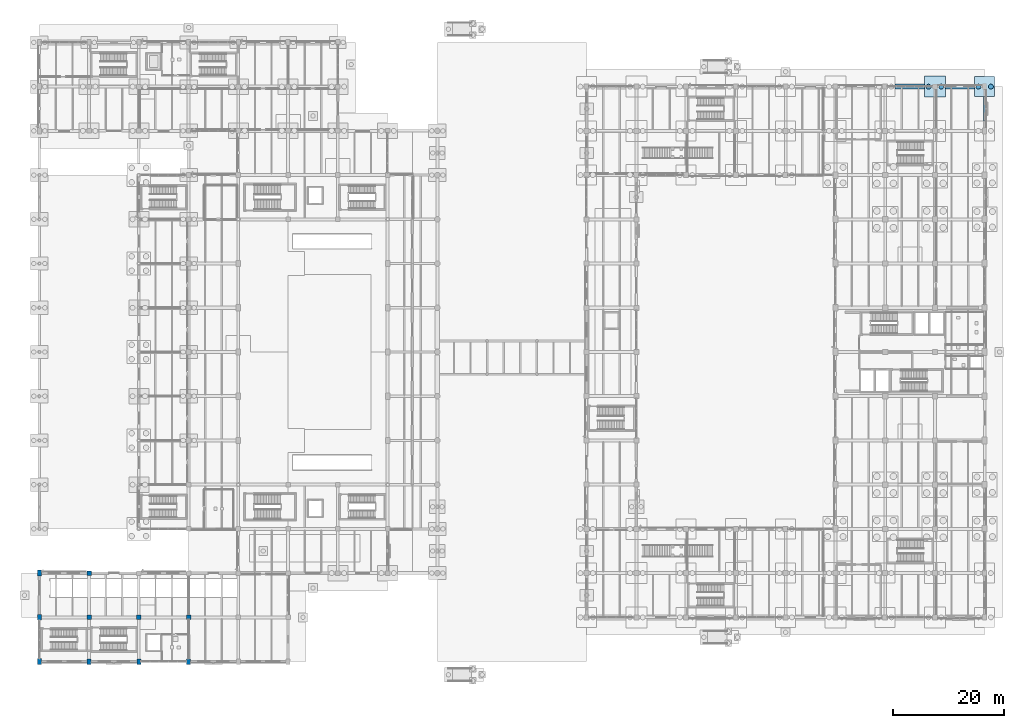
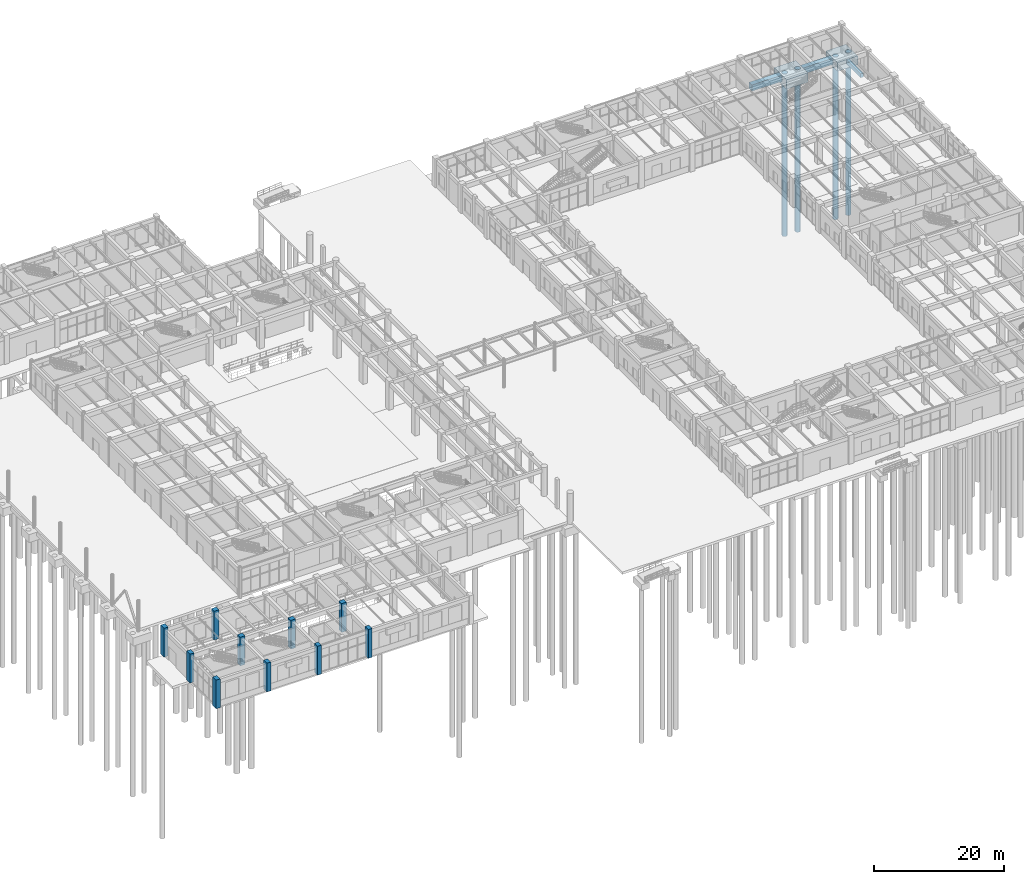
# One storey, part 5 of 121: 10 columns, 5 footings, 4 piles.
"""IFC4 building model written with IfcOpenShell, lengths in metres."""

from ifc_helpers import new_model, si_unit, derived_unit, direction, frame, origin, origin_2d, place, context, subcontext, project, spatial, rectangle, circle, extrude, material, material_profile, profile_set, type_object, element, save


model = new_model("IFC4")

# Units and contexts
model_context = context("Model", 3, precision=1e-05, world=origin(), true_north=direction((0.0, 1.0)))
body_context = subcontext(model_context, "Body", "Model", "MODEL_VIEW")
ifc_project = project(units=[si_unit("LENGTHUNIT", "METRE"), si_unit("AREAUNIT", "SQUARE_METRE"), si_unit("VOLUMEUNIT", "CUBIC_METRE"), si_unit("PLANEANGLEUNIT", "RADIAN"), si_unit("MASSUNIT", "GRAM", prefix="KILO"), derived_unit("THERMALTRANSMITTANCEUNIT", [(si_unit("MASSUNIT", "GRAM", prefix="KILO"), 1), (si_unit("TIMEUNIT", "SECOND"), -3), (si_unit("THERMODYNAMICTEMPERATUREUNIT", "KELVIN"), -1)])], contexts=[model_context])

# Site, building, storey
site_placement = place(None, origin())
site = spatial("IfcSite", under=ifc_project, at=site_placement, CompositionType="ELEMENT")
building_placement = place(site_placement, origin())
building = spatial("IfcBuilding", under=site, at=building_placement, Name="Zhenchuan Archway Interchange", CompositionType="ELEMENT")
storey_placement = place(building_placement, origin())
storey = spatial("IfcBuildingStorey", under=building, at=storey_placement, Name="L00", CompositionType="ELEMENT", Elevation=0.0)

# Footings
ifc_material_1 = material(Name="Concrete C40", Category="concrete")
ifc_material_profile_1 = material_profile(ifc_material_1, rectangle(XDim=0.5, YDim=0.75, at=origin_2d()), Name="RC 500x750")
ifc_profile_set_1 = profile_set([ifc_material_profile_1], Name="Concrete C40")
footing_type_1 = type_object("IfcFootingType", Name="FB_GROUND_4", PredefinedType="FOOTING_BEAM", material=ifc_profile_set_1)
footing_1_placement = place(storey_placement, frame((171.0, 97.800048828125, -0.794921875), z_axis=(0.0, 1.0, 0.0), x_axis=(-1.0, 0.0, 0.0)))
element("IfcFooting", 1, at=footing_1_placement, inside=storey, type_object=footing_type_1, Name="Ground tie beam 20:N-O (L00)", PredefinedType="FOOTING_BEAM", context=body_context, shape_type="SweptSolid", body=[
    extrude(rectangle(XDim=0.5, YDim=0.75, at=origin_2d()), origin(), (0.0, 0.0, 1.0), 4.39990234375),
])
ifc_material_profile_2 = material_profile(ifc_material_1, rectangle(XDim=0.89990234375, YDim=1.159912109375, at=origin_2d()), Name="RC 900x1160")
ifc_profile_set_2 = profile_set([ifc_material_profile_2], Name="Concrete C40")
footing_type_2 = type_object("IfcFootingType", Name="FB_PLINTH_CURB", PredefinedType="STRIP_FOOTING", material=ifc_profile_set_2)
for number, where, z_axis, x_axis, name in (
    (2, (154.800048828125, 104.0, -1.0), (1.0, 0.0, 0.0), (0.0, 1.0, 0.0), "Perimeter strip footing O:18-19 (L00)"),
    (3, (163.89990234375, 104.0, -1.0), (1.0, 0.0, 0.0), (0.0, 1.0, 0.0), "Perimeter strip footing O:19-20 (L00)"),
):
    element("IfcFooting", number, at=place(storey_placement, frame(where, z_axis=z_axis, x_axis=x_axis)), inside=storey, type_object=footing_type_2, Name=name, PredefinedType="STRIP_FOOTING", context=body_context, shape_type="SweptSolid", body=[
        extrude(rectangle(XDim=0.89990234375, YDim=1.159912109375, at=origin_2d()), origin(), (0.0, 0.0, 1.0), 5.300048828125),
    ])
footing_type_3 = type_object("IfcFootingType", Name="PC_B_38x38", PredefinedType="PILE_CAP", material=ifc_material_1)
footing_2_placement = place(storey_placement, frame((162.0, 104.0, -2.169921875), z_axis=(0.0, 0.0, 1.0), x_axis=(1.0, 0.0, 0.0)))
element("IfcFooting", 4, at=footing_2_placement, inside=storey, type_object=footing_type_3, Name="Pile cap PC-07 at 19/O (L00)", PredefinedType="PILE_CAP", context=body_context, shape_type="SweptSolid", body=[
    extrude(rectangle(XDim=3.800048828125, YDim=3.800048828125, at=origin_2d()), origin(), (0.0, 0.0, 1.0), 1.75),
])
footing_type_4 = type_object("IfcFootingType", Name="PC_M_36x36", PredefinedType="PILE_CAP", material=ifc_material_1)
footing_3_placement = place(storey_placement, frame((171.0, 104.0, -2.070068359375), z_axis=(0.0, 0.0, 1.0), x_axis=(1.0, 0.0, 0.0)))
element("IfcFooting", 5, at=footing_3_placement, inside=storey, type_object=footing_type_4, Name="Pile cap PC-09 at 20/O (L00)", PredefinedType="PILE_CAP", context=body_context, shape_type="SweptSolid", body=[
    extrude(rectangle(XDim=3.60009765625, YDim=3.60009765625, at=origin_2d()), origin(), (0.0, 0.0, 1.0), 1.64990234375),
])

# Piles
ifc_material_2 = material(Name="Concrete C35", Category="concrete")
ifc_material_profile_3 = material_profile(ifc_material_2, circle(Radius=0.449951171875, at=origin_2d()), Name="BORED PILE 900")
ifc_profile_set_3 = profile_set([ifc_material_profile_3], Name="Concrete C35")
pile_type = type_object("IfcPileType", Name="PILE_D900", PredefinedType="BORED", material=ifc_profile_set_3)
for number, where, z_axis, x_axis, name in (
    (6, (160.85009765625, 104.0, -0.419921875), (0.0, 0.0, -1.0), (1.0, 0.0, 0.0), "Bored pile at 19/O #1 (L00)"),
    (7, (163.14990234375, 104.0, -0.419921875), (0.0, 0.0, -1.0), (1.0, 0.0, 0.0), "Bored pile at 19/O #2 (L00)"),
    (8, (169.875, 104.0, -0.419921875), (0.0, 0.0, -1.0), (1.0, 0.0, 0.0), "Bored pile at 20/O #1 (L00)"),
    (9, (172.125, 104.0, -0.419921875), (0.0, 0.0, -1.0), (1.0, 0.0, 0.0), "Bored pile at 20/O #2 (L00)"),
):
    element("IfcPile", number, at=place(storey_placement, frame(where, z_axis=z_axis, x_axis=x_axis)), inside=storey, type_object=pile_type, Name=name, PredefinedType="BORED", context=body_context, shape_type="SweptSolid", body=[
        extrude(circle(Radius=0.449951171875, at=origin_2d()), origin(), (0.0, 0.0, 1.0), 30.5),
    ])

# Columns
ifc_material_3 = material(Name="Concrete C50", Category="concrete")
ifc_material_profile_4 = material_profile(ifc_material_3, rectangle(XDim=0.699951171875, YDim=1.0, at=origin_2d()), Name="RC 700x1000")
ifc_profile_set_4 = profile_set([ifc_material_profile_4], Name="Concrete C50")
column_type_1 = type_object("IfcColumnType", Name="COL_RC_700x1000", PredefinedType="COLUMN", material=ifc_profile_set_4)
for number, where, z_axis, x_axis, name in (
    (10, (9.0, 0.0, 0.0), (0.0, 0.0, 1.0), (1.0, 0.0, 0.0), "Column 2/A (L00)"),
    (11, (18.0, 0.0, 0.0), (0.0, 0.0, 1.0), (1.0, 0.0, 0.0), "Column 3/A (L00)"),
    (12, (27.0, 0.0, 0.0), (0.0, 0.0, 1.0), (1.0, 0.0, 0.0), "Column 4/A (L00)"),
):
    element("IfcColumn", number, at=place(storey_placement, frame(where, z_axis=z_axis, x_axis=x_axis)), inside=storey, type_object=column_type_1, Name=name, PredefinedType="COLUMN", context=body_context, shape_type="SweptSolid", body=[
        extrude(rectangle(XDim=0.699951171875, YDim=1.0, at=origin_2d()), origin(), (0.0, 0.0, 1.0), 5.39990234375),
    ])
ifc_material_profile_5 = material_profile(ifc_material_3, rectangle(XDim=0.75, YDim=1.050048828125, at=origin_2d()), Name="RC 750x1050")
ifc_profile_set_5 = profile_set([ifc_material_profile_5], Name="Concrete C50")
column_type_2 = type_object("IfcColumnType", Name="COL_RC_750x1050", PredefinedType="COLUMN", material=ifc_profile_set_5)
for number, where, z_axis, x_axis, name in (
    (13, (0.0, 0.0, 0.0), (0.0, 0.0, 1.0), (1.0, 0.0, 0.0), "Column 1/A (L00)"),
    (14, (0.0, 8.0, 0.0), (0.0, 0.0, 1.0), (1.0, 0.0, 0.0), "Column 1/B (L00)"),
    (15, (0.0, 16.0, 0.0), (0.0, 0.0, 1.0), (1.0, 0.0, 0.0), "Column 1/C (L00)"),
):
    element("IfcColumn", number, at=place(storey_placement, frame(where, z_axis=z_axis, x_axis=x_axis)), inside=storey, type_object=column_type_2, Name=name, PredefinedType="COLUMN", context=body_context, shape_type="SweptSolid", body=[
        extrude(rectangle(XDim=0.75, YDim=1.050048828125, at=origin_2d()), origin(), (0.0, 0.0, 1.0), 5.39990234375),
    ])
ifc_material_profile_6 = material_profile(ifc_material_1, rectangle(XDim=0.85009765625, YDim=0.85009765625, at=origin_2d()), Name="RC 850x850")
ifc_profile_set_6 = profile_set([ifc_material_profile_6], Name="Concrete C40")
column_type_3 = type_object("IfcColumnType", Name="COL_RC_850", PredefinedType="COLUMN", material=ifc_profile_set_6)
for number, where, z_axis, x_axis, name in (
    (16, (9.0, 8.0, 0.0), (0.0, 0.0, 1.0), (1.0, 0.0, 0.0), "Column 2/B (L00)"),
    (17, (9.0, 16.0, 0.0), (0.0, 0.0, 1.0), (1.0, 0.0, 0.0), "Column 2/C (L00)"),
    (18, (18.0, 8.0, 0.0), (0.0, 0.0, 1.0), (1.0, 0.0, 0.0), "Column 3/B (L00)"),
    (19, (27.0, 8.0, 0.0), (0.0, 0.0, 1.0), (1.0, 0.0, 0.0), "Column 4/B (L00)"),
):
    element("IfcColumn", number, at=place(storey_placement, frame(where, z_axis=z_axis, x_axis=x_axis)), inside=storey, type_object=column_type_3, Name=name, PredefinedType="COLUMN", context=body_context, shape_type="SweptSolid", body=[
        extrude(rectangle(XDim=0.85009765625, YDim=0.85009765625, at=origin_2d()), origin(), (0.0, 0.0, 1.0), 5.39990234375),
    ])

save(model, "model.ifc")
